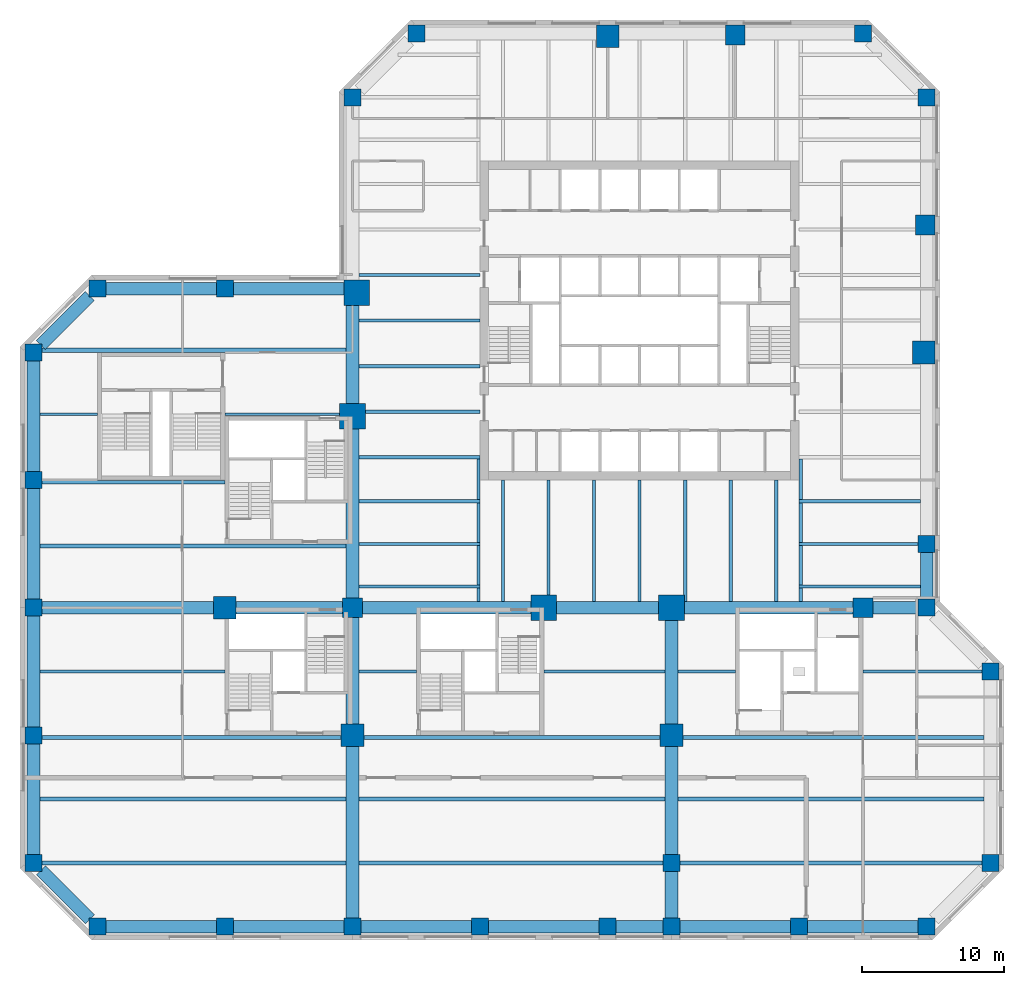
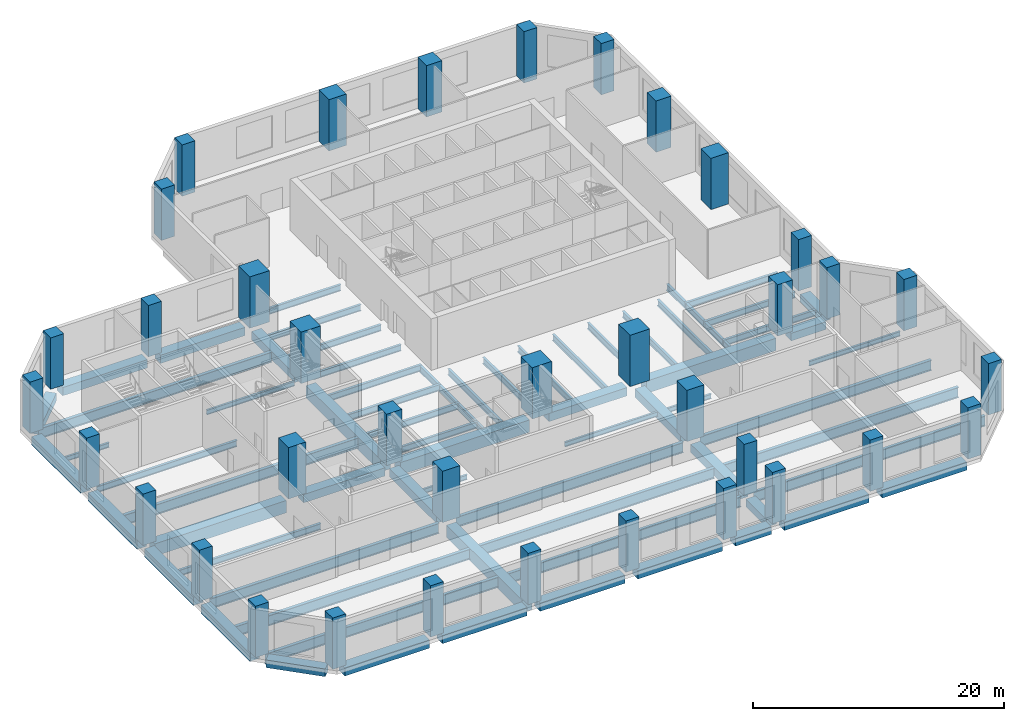
# One storey, part 1 of 12: 68 beams, 37 columns.
"""IFC4 building model written with IfcOpenShell, lengths in metres."""

from ifc_helpers import new_model, si_unit, direction, frame, origin, origin_2d, place, context, subcontext, project, spatial, rectangle, i_section, extrude, material, material_profile, profile_set, type_object, element, save


model = new_model("IFC4")

# Units and contexts
model_context = context("Model", 3, precision=1e-05, world=origin(), true_north=direction((0.0, 1.0)))
body_context = subcontext(model_context, "Body", "Model", "MODEL_VIEW")
ifc_project = project(units=[si_unit("LENGTHUNIT", "METRE"), si_unit("AREAUNIT", "SQUARE_METRE"), si_unit("VOLUMEUNIT", "CUBIC_METRE"), si_unit("PLANEANGLEUNIT", "RADIAN"), si_unit("MASSUNIT", "GRAM", prefix="KILO")], contexts=[model_context])

# Site, building, storey
site_placement = place(None, origin())
site = spatial("IfcSite", under=ifc_project, at=site_placement, CompositionType="ELEMENT")
building_placement = place(site_placement, origin())
building = spatial("IfcBuilding", under=site, at=building_placement, Name="Quoin Convention Tower", CompositionType="ELEMENT")
storey_placement = place(building_placement, frame((0.0, 0.0, 13.5)))
storey = spatial("IfcBuildingStorey", under=building, at=storey_placement, Name="L02", CompositionType="ELEMENT", Elevation=13.5)

# Columns
ifc_material_1 = material(Name="Concrete C100 (100 MPa)", Category="concrete")
ifc_material_profile_1 = material_profile(ifc_material_1, rectangle(XDim=1.199951171875, YDim=1.199951171875, at=origin_2d()), Name="RC 1200x1200")
ifc_profile_set_1 = profile_set([ifc_material_profile_1], Name="Concrete C100 (100 MPa)")
column_type_1 = type_object("IfcColumnType", Name="RC 1200x1200 C100", PredefinedType="COLUMN", material=ifc_profile_set_1)
for number, where, z_axis, x_axis, name in (
    (1, (18.0, 18.0, 0.0), (0.0, 0.0, 1.0), (1.0, 0.0, 0.0), "col-L02-18000_18000"),
    (2, (27.0, 18.0, 0.0), (0.0, 0.0, 1.0), (1.0, 0.0, 0.0), "col-L02-27000_18000"),
    (3, (36.0, 18.0, 0.0), (0.0, 0.0, 1.0), (1.0, 0.0, 0.0), "col-L02-36000_18000"),
    (4, (45.0, 18.0, 0.0), (0.0, 0.0, 1.0), (1.0, 0.0, 0.0), "col-L02-45000_18000"),
    (5, (54.0, 18.0, 0.0), (0.0, 0.0, 1.0), (1.0, 0.0, 0.0), "col-L02-54000_18000"),
    (6, (58.5, 18.0, 0.0), (0.0, 0.0, 1.0), (1.0, 0.0, 0.0), "col-L02-58500_18000"),
    (7, (67.5, 18.0, 0.0), (0.0, 0.0, 1.0), (1.0, 0.0, 0.0), "col-L02-67500_18000"),
    (8, (76.5, 18.0, 0.0), (0.0, 0.0, 1.0), (1.0, 0.0, 0.0), "col-L02-76500_18000"),
    (9, (13.5, 22.5, 0.0), (0.0, 0.0, 1.0), (1.0, 0.0, 0.0), "col-L02-13500_22500"),
    (10, (58.5, 22.5, 0.0), (0.0, 0.0, 1.0), (1.0, 0.0, 0.0), "web-L02-58500_22500"),
    (11, (81.0, 22.5, 0.0), (0.0, 0.0, 1.0), (1.0, 0.0, 0.0), "col-L02-81000_22500"),
    (12, (13.5, 31.5, 0.0), (0.0, 0.0, 1.0), (1.0, 0.0, 0.0), "col-L02-13500_31500"),
    (13, (81.0, 36.0, 0.0), (0.0, 0.0, 1.0), (1.0, 0.0, 0.0), "col-L02-81000_36000"),
    (14, (13.5, 40.5, 0.0), (0.0, 0.0, 1.0), (1.0, 0.0, 0.0), "col-L02-13500_40500"),
    (15, (76.5, 40.5, 0.0), (0.0, 0.0, 1.0), (1.0, 0.0, 0.0), "col-L02-76500_40500"),
    (16, (76.5, 45.0, 0.0), (0.0, 0.0, 1.0), (1.0, 0.0, 0.0), "col-L02-76500_45000"),
    (17, (13.5, 49.5, 0.0), (0.0, 0.0, 1.0), (1.0, 0.0, 0.0), "col-L02-13500_49500"),
    (18, (13.5, 58.5, 0.0), (0.0, 0.0, 1.0), (1.0, 0.0, 0.0), "col-L02-13500_58500"),
    (19, (18.0, 63.0, 0.0), (0.0, 0.0, 1.0), (1.0, 0.0, 0.0), "col-L02-18000_63000"),
    (20, (27.0, 63.0, 0.0), (0.0, 0.0, 1.0), (1.0, 0.0, 0.0), "col-L02-27000_63000"),
    (21, (36.0, 76.5, 0.0), (0.0, 0.0, 1.0), (1.0, 0.0, 0.0), "col-L02-36000_76500"),
    (22, (76.5, 76.5, 0.0), (0.0, 0.0, 1.0), (1.0, 0.0, 0.0), "col-L02-76500_76500"),
    (23, (40.5, 81.0, 0.0), (0.0, 0.0, 1.0), (1.0, 0.0, 0.0), "col-L02-40500_81000"),
    (24, (72.0, 81.0, 0.0), (0.0, 0.0, 1.0), (1.0, 0.0, 0.0), "col-L02-72000_81000"),
):
    element("IfcColumn", number, at=place(storey_placement, frame(where, z_axis=z_axis, x_axis=x_axis)), inside=storey, type_object=column_type_1, Name=name, PredefinedType="COLUMN", context=body_context, shape_type="SweptSolid", body=[
        extrude(rectangle(XDim=1.199951171875, YDim=1.199951171875, at=origin_2d()), origin(), (0.0, 0.0, 1.0), 5.0),
    ])
ifc_material_profile_2 = material_profile(ifc_material_1, rectangle(XDim=1.39990234375, YDim=1.39990234375, at=origin_2d()), Name="RC 1400x1400")
ifc_profile_set_2 = profile_set([ifc_material_profile_2], Name="Concrete C100 (100 MPa)")
column_type_2 = type_object("IfcColumnType", Name="RC 1400x1400 C100", PredefinedType="COLUMN", material=ifc_profile_set_2)
for number, where, z_axis, x_axis, name in (
    (25, (36.0, 40.5, 0.0), (0.0, 0.0, 1.0), (1.0, 0.0, 0.0), "web-L02-36000_40500"),
    (26, (72.0, 40.5, 0.0), (0.0, 0.0, 1.0), (1.0, 0.0, 0.0), "web-L02-72000_40500"),
    (27, (76.39990234375, 67.5, 0.0), (0.0, 0.0, 1.0), (1.0, 0.0, 0.0), "col-L02-76500_67500"),
    (28, (63.0, 80.89990234375, 0.0), (0.0, 0.0, 1.0), (1.0, 0.0, 0.0), "col-L02-63000_81000"),
):
    element("IfcColumn", number, at=place(storey_placement, frame(where, z_axis=z_axis, x_axis=x_axis)), inside=storey, type_object=column_type_2, Name=name, PredefinedType="COLUMN", context=body_context, shape_type="SweptSolid", body=[
        extrude(rectangle(XDim=1.39990234375, YDim=1.39990234375, at=origin_2d()), origin(), (0.0, 0.0, 1.0), 5.0),
    ])
ifc_material_profile_3 = material_profile(ifc_material_1, rectangle(XDim=1.60009765625, YDim=1.60009765625, at=origin_2d()), Name="RC 1600x1600")
ifc_profile_set_3 = profile_set([ifc_material_profile_3], Name="Concrete C100 (100 MPa)")
column_type_3 = type_object("IfcColumnType", Name="RC 1600x1600 C100", PredefinedType="COLUMN", material=ifc_profile_set_3)
for number, where, z_axis, x_axis, name in (
    (29, (36.0, 31.5, 0.0), (0.0, 0.0, 1.0), (1.0, 0.0, 0.0), "web-L02-36000_31500"),
    (30, (58.5, 31.5, 0.0), (0.0, 0.0, 1.0), (1.0, 0.0, 0.0), "web-L02-58500_31500"),
    (31, (27.0, 40.5, 0.0), (0.0, 0.0, 1.0), (1.0, 0.0, 0.0), "web-L02-27000_40500"),
    (32, (76.300048828125, 58.5, 0.0), (0.0, 0.0, 1.0), (1.0, 0.0, 0.0), "col-L02-76500_58500"),
    (33, (54.0, 80.800048828125, 0.0), (0.0, 0.0, 1.0), (1.0, 0.0, 0.0), "col-L02-54000_81000"),
):
    element("IfcColumn", number, at=place(storey_placement, frame(where, z_axis=z_axis, x_axis=x_axis)), inside=storey, type_object=column_type_3, Name=name, PredefinedType="COLUMN", context=body_context, shape_type="SweptSolid", body=[
        extrude(rectangle(XDim=1.60009765625, YDim=1.60009765625, at=origin_2d()), origin(), (0.0, 0.0, 1.0), 5.0),
    ])
ifc_material_profile_4 = material_profile(ifc_material_1, rectangle(XDim=1.800048828125, YDim=1.800048828125, at=origin_2d()), Name="RC 1800x1800")
ifc_profile_set_4 = profile_set([ifc_material_profile_4], Name="Concrete C100 (100 MPa)")
column_type_4 = type_object("IfcColumnType", Name="RC 1800x1800 C100", PredefinedType="COLUMN", material=ifc_profile_set_4)
for number, where, z_axis, x_axis, name in (
    (34, (49.5, 40.5, 0.0), (0.0, 0.0, 1.0), (1.0, 0.0, 0.0), "web-L02-49500_40500"),
    (35, (58.5, 40.5, 0.0), (0.0, 0.0, 1.0), (1.0, 0.0, 0.0), "web-L02-58500_40500"),
    (36, (36.0, 54.0, 0.0), (0.0, 0.0, 1.0), (1.0, 0.0, 0.0), "web-L02-36000_54000"),
    (37, (36.300048828125, 62.699951171875, 0.0), (0.0, 0.0, 1.0), (1.0, 0.0, 0.0), "col-L02-36000_63000"),
):
    element("IfcColumn", number, at=place(storey_placement, frame(where, z_axis=z_axis, x_axis=x_axis)), inside=storey, type_object=column_type_4, Name=name, PredefinedType="COLUMN", context=body_context, shape_type="SweptSolid", body=[
        extrude(rectangle(XDim=1.800048828125, YDim=1.800048828125, at=origin_2d()), origin(), (0.0, 0.0, 1.0), 5.0),
    ])

# Beams
ifc_material_2 = material(Name="Steel Grade 300", Category="steel")
ifc_material_profile_5 = material_profile(ifc_material_2, i_section(OverallWidth=0.300048828125, OverallDepth=1.0, WebThickness=0.01611328125, FlangeThickness=0.02001953125, at=origin_2d()), Name="1000WB215")
ifc_profile_set_5 = profile_set([ifc_material_profile_5], Name="Steel Grade 300")
beam_type_1 = type_object("IfcBeamType", Name="1000WB215", PredefinedType="BEAM", material=ifc_profile_set_5)
beam_1_placement = place(storey_placement, frame((14.10009765625, 22.5, -0.85009765625), z_axis=(1.0, 0.0, 0.0), x_axis=(0.0, 1.0, 0.0)))
element("IfcBeam", 38, at=beam_1_placement, inside=storey, type_object=beam_type_1, Name="gir-L02-ST4-1-0", PredefinedType="BEAM", context=body_context, shape_type="SweptSolid", body=[
    extrude(i_section(OverallWidth=0.300048828125, OverallDepth=1.0, WebThickness=0.01611328125, FlangeThickness=0.02001953125, at=origin_2d()), origin(), (0.0, 0.0, 1.0), 21.449951171875),
])
beam_2_placement = place(storey_placement, frame((13.949951171875, 27.0, -0.85009765625), z_axis=(1.0, 0.0, 0.0), x_axis=(0.0, 1.0, 0.0)))
element("IfcBeam", 39, at=beam_2_placement, inside=storey, type_object=beam_type_1, Name="gir-L02-ST4-2-0", PredefinedType="BEAM", context=body_context, shape_type="SweptSolid", body=[
    extrude(i_section(OverallWidth=0.300048828125, OverallDepth=1.0, WebThickness=0.01611328125, FlangeThickness=0.02001953125, at=origin_2d()), origin(), (0.0, 0.0, 1.0), 21.60009765625),
])
beam_3_placement = place(storey_placement, frame((14.10009765625, 31.35009765625, -0.85009765625), z_axis=(1.0, 0.0, 0.0), x_axis=(0.0, 1.0, 0.0)))
element("IfcBeam", 40, at=beam_3_placement, inside=storey, type_object=beam_type_1, Name="gir-L02-ST4-3-0", PredefinedType="BEAM", context=body_context, shape_type="SweptSolid", body=[
    extrude(i_section(OverallWidth=0.300048828125, OverallDepth=1.0, WebThickness=0.01611328125, FlangeThickness=0.02001953125, at=origin_2d()), origin(), (0.0, 0.0, 1.0), 21.099853515625),
])
beam_4_placement = place(storey_placement, frame((36.449951171875, 22.5, -0.85009765625), z_axis=(1.0, 0.0, 0.0), x_axis=(0.0, 1.0, 0.0)))
element("IfcBeam", 41, at=beam_4_placement, inside=storey, type_object=beam_type_1, Name="gir-L02-ST3-1-0", PredefinedType="BEAM", context=body_context, shape_type="SweptSolid", body=[
    extrude(i_section(OverallWidth=0.300048828125, OverallDepth=1.0, WebThickness=0.01611328125, FlangeThickness=0.02001953125, at=origin_2d()), origin(), (0.0, 0.0, 1.0), 21.449951171875),
])
beam_5_placement = place(storey_placement, frame((36.449951171875, 27.0, -0.85009765625), z_axis=(1.0, 0.0, 0.0), x_axis=(0.0, 1.0, 0.0)))
element("IfcBeam", 42, at=beam_5_placement, inside=storey, type_object=beam_type_1, Name="gir-L02-ST3-2-0", PredefinedType="BEAM", context=body_context, shape_type="SweptSolid", body=[
    extrude(i_section(OverallWidth=0.300048828125, OverallDepth=1.0, WebThickness=0.01611328125, FlangeThickness=0.02001953125, at=origin_2d()), origin(), (0.0, 0.0, 1.0), 21.60009765625),
])
beam_6_placement = place(storey_placement, frame((36.800048828125, 31.35009765625, -0.85009765625), z_axis=(1.0, 0.0, 0.0), x_axis=(0.0, 1.0, 0.0)))
element("IfcBeam", 43, at=beam_6_placement, inside=storey, type_object=beam_type_1, Name="gir-L02-ST3-3-0", PredefinedType="BEAM", context=body_context, shape_type="SweptSolid", body=[
    extrude(i_section(OverallWidth=0.300048828125, OverallDepth=1.0, WebThickness=0.01611328125, FlangeThickness=0.02001953125, at=origin_2d()), origin(), (0.0, 0.0, 1.0), 20.89990234375),
])
beam_7_placement = place(storey_placement, frame((59.10009765625, 22.5, -0.85009765625), z_axis=(1.0, 0.0, 0.0), x_axis=(0.0, 1.0, 0.0)))
element("IfcBeam", 44, at=beam_7_placement, inside=storey, type_object=beam_type_1, Name="gir-L02-ST5-1-0", PredefinedType="BEAM", context=body_context, shape_type="SweptSolid", body=[
    extrude(i_section(OverallWidth=0.300048828125, OverallDepth=1.0, WebThickness=0.01611328125, FlangeThickness=0.02001953125, at=origin_2d()), origin(), (0.0, 0.0, 1.0), 21.2998046875),
])
beam_8_placement = place(storey_placement, frame((58.949951171875, 27.0, -0.85009765625), z_axis=(1.0, 0.0, 0.0), x_axis=(0.0, 1.0, 0.0)))
element("IfcBeam", 45, at=beam_8_placement, inside=storey, type_object=beam_type_1, Name="gir-L02-ST5-2-0", PredefinedType="BEAM", context=body_context, shape_type="SweptSolid", body=[
    extrude(i_section(OverallWidth=0.300048828125, OverallDepth=1.0, WebThickness=0.01611328125, FlangeThickness=0.02001953125, at=origin_2d()), origin(), (0.0, 0.0, 1.0), 21.60009765625),
])
beam_9_placement = place(storey_placement, frame((59.300048828125, 31.35009765625, -0.85009765625), z_axis=(1.0, 0.0, 0.0), x_axis=(0.0, 1.0, 0.0)))
element("IfcBeam", 46, at=beam_9_placement, inside=storey, type_object=beam_type_1, Name="gir-L02-ST5-3-0", PredefinedType="BEAM", context=body_context, shape_type="SweptSolid", body=[
    extrude(i_section(OverallWidth=0.300048828125, OverallDepth=1.0, WebThickness=0.01611328125, FlangeThickness=0.02001953125, at=origin_2d()), origin(), (0.0, 0.0, 1.0), 21.25),
])
beam_10_placement = place(storey_placement, frame((13.949951171875, 44.85009765625, -0.85009765625), z_axis=(1.0, 0.0, 0.0), x_axis=(0.0, 1.0, 0.0)))
element("IfcBeam", 47, at=beam_10_placement, inside=storey, type_object=beam_type_1, Name="gir-L02-ST2-1-0", PredefinedType="BEAM", context=body_context, shape_type="SweptSolid", body=[
    extrude(i_section(OverallWidth=0.300048828125, OverallDepth=1.0, WebThickness=0.01611328125, FlangeThickness=0.02001953125, at=origin_2d()), origin(), (0.0, 0.0, 1.0), 21.60009765625),
])
beam_11_placement = place(storey_placement, frame((14.10009765625, 58.64990234375, -0.85009765625), z_axis=(1.0, 0.0, 0.0), x_axis=(0.0, 1.0, 0.0)))
element("IfcBeam", 48, at=beam_11_placement, inside=storey, type_object=beam_type_1, Name="gir-L02-ST2-4-0", PredefinedType="BEAM", context=body_context, shape_type="SweptSolid", body=[
    extrude(i_section(OverallWidth=0.300048828125, OverallDepth=1.0, WebThickness=0.01611328125, FlangeThickness=0.02001953125, at=origin_2d()), origin(), (0.0, 0.0, 1.0), 21.449951171875),
])
ifc_material_profile_6 = material_profile(ifc_material_2, i_section(OverallWidth=0.18994140625, OverallDepth=0.4541015625, WebThickness=0.008544921875, FlangeThickness=0.0126953125, FilletRadius=0.011474609375, at=origin_2d()), Name="460UB67.1")
ifc_profile_set_6 = profile_set([ifc_material_profile_6], Name="Steel Grade 300")
beam_type_2 = type_object("IfcBeamType", Name="460UB67.1", PredefinedType="BEAM", material=ifc_profile_set_6)
beam_12_placement = place(storey_placement, frame((36.449951171875, 36.0, -0.576904296875), z_axis=(1.0, 0.0, 0.0), x_axis=(0.0, 1.0, 0.0)))
element("IfcBeam", 49, at=beam_12_placement, inside=storey, type_object=beam_type_2, Name="gir-L02-ST3-4-0", PredefinedType="BEAM", context=body_context, shape_type="SweptSolid", body=[
    extrude(i_section(OverallWidth=0.18994140625, OverallDepth=0.4541015625, WebThickness=0.008544921875, FlangeThickness=0.0126953125, FilletRadius=0.011474609375, at=origin_2d()), origin(), (0.0, 0.0, 1.0), 4.050048828125),
])
beam_13_placement = place(storey_placement, frame((49.5, 36.0, -0.576904296875), z_axis=(1.0, 0.0, 0.0), x_axis=(0.0, 1.0, 0.0)))
element("IfcBeam", 50, at=beam_13_placement, inside=storey, type_object=beam_type_2, Name="gir-L02-ST3-4-1", PredefinedType="BEAM", context=body_context, shape_type="SweptSolid", body=[
    extrude(i_section(OverallWidth=0.18994140625, OverallDepth=0.4541015625, WebThickness=0.008544921875, FlangeThickness=0.0126953125, FilletRadius=0.011474609375, at=origin_2d()), origin(), (0.0, 0.0, 1.0), 8.550048828125),
])
beam_14_placement = place(storey_placement, frame((58.949951171875, 36.0, -0.576904296875), z_axis=(1.0, 0.0, 0.0), x_axis=(0.0, 1.0, 0.0)))
element("IfcBeam", 51, at=beam_14_placement, inside=storey, type_object=beam_type_2, Name="gir-L02-ST5-4-0", PredefinedType="BEAM", context=body_context, shape_type="SweptSolid", body=[
    extrude(i_section(OverallWidth=0.18994140625, OverallDepth=0.4541015625, WebThickness=0.008544921875, FlangeThickness=0.0126953125, FilletRadius=0.011474609375, at=origin_2d()), origin(), (0.0, 0.0, 1.0), 4.050048828125),
])
beam_15_placement = place(storey_placement, frame((72.0, 36.0, -0.576904296875), z_axis=(1.0, 0.0, 0.0), x_axis=(0.0, 1.0, 0.0)))
element("IfcBeam", 52, at=beam_15_placement, inside=storey, type_object=beam_type_2, Name="gir-L02-ST5-4-1", PredefinedType="BEAM", context=body_context, shape_type="SweptSolid", body=[
    extrude(i_section(OverallWidth=0.18994140625, OverallDepth=0.4541015625, WebThickness=0.008544921875, FlangeThickness=0.0126953125, FilletRadius=0.011474609375, at=origin_2d()), origin(), (0.0, 0.0, 1.0), 8.39990234375),
])
beam_16_placement = place(storey_placement, frame((13.949951171875, 54.14990234375, -0.576904296875), z_axis=(1.0, 0.0, 0.0), x_axis=(0.0, 1.0, 0.0)))
element("IfcBeam", 53, at=beam_16_placement, inside=storey, type_object=beam_type_2, Name="gir-L02-ST2-3-0", PredefinedType="BEAM", context=body_context, shape_type="SweptSolid", body=[
    extrude(i_section(OverallWidth=0.18994140625, OverallDepth=0.4541015625, WebThickness=0.008544921875, FlangeThickness=0.0126953125, FilletRadius=0.011474609375, at=origin_2d()), origin(), (0.0, 0.0, 1.0), 4.050048828125),
])
beam_17_placement = place(storey_placement, frame((27.0, 54.14990234375, -0.576904296875), z_axis=(1.0, 0.0, 0.0), x_axis=(0.0, 1.0, 0.0)))
element("IfcBeam", 54, at=beam_17_placement, inside=storey, type_object=beam_type_2, Name="gir-L02-ST2-3-1", PredefinedType="BEAM", context=body_context, shape_type="SweptSolid", body=[
    extrude(i_section(OverallWidth=0.18994140625, OverallDepth=0.4541015625, WebThickness=0.008544921875, FlangeThickness=0.0126953125, FilletRadius=0.011474609375, at=origin_2d()), origin(), (0.0, 0.0, 1.0), 8.10009765625),
])
ifc_material_profile_7 = material_profile(ifc_material_2, i_section(OverallWidth=0.22802734375, OverallDepth=0.60205078125, WebThickness=0.010498046875, FlangeThickness=0.014892578125, FilletRadius=0.013916015625, at=origin_2d()), Name="610UB101")
ifc_profile_set_7 = profile_set([ifc_material_profile_7], Name="Steel Grade 300")
beam_type_3 = type_object("IfcBeamType", Name="610UB101", PredefinedType="BEAM", material=ifc_profile_set_7)
beam_18_placement = place(storey_placement, frame((36.449951171875, 51.107177734375, -0.65087890625), z_axis=(1.0, 0.0, 0.0), x_axis=(0.0, 1.0, 0.0)))
element("IfcBeam", 55, at=beam_18_placement, inside=storey, type_object=beam_type_3, Name="bm-L02-T1W0", PredefinedType="BEAM", context=body_context, shape_type="SweptSolid", body=[
    extrude(i_section(OverallWidth=0.22802734375, OverallDepth=0.60205078125, WebThickness=0.010498046875, FlangeThickness=0.014892578125, FilletRadius=0.013916015625, at=origin_2d()), origin(), (0.0, 0.0, 1.0), 8.550048828125),
])
beam_19_placement = place(storey_placement, frame((36.89990234375, 54.3212890625, -0.65087890625), z_axis=(1.0, 0.0, 0.0), x_axis=(0.0, 1.0, 0.0)))
element("IfcBeam", 56, at=beam_19_placement, inside=storey, type_object=beam_type_3, Name="bm-L02-T1W1", PredefinedType="BEAM", context=body_context, shape_type="SweptSolid", body=[
    extrude(i_section(OverallWidth=0.22802734375, OverallDepth=0.60205078125, WebThickness=0.010498046875, FlangeThickness=0.014892578125, FilletRadius=0.013916015625, at=origin_2d()), origin(), (0.0, 0.0, 1.0), 8.10009765625),
])
for number, where, z_axis, x_axis, name in (
    (57, (36.449951171875, 57.53564453125, -0.65087890625), (1.0, 0.0, 0.0), (0.0, 1.0, 0.0), "bm-L02-T1W2"),
    (58, (36.449951171875, 60.75, -0.65087890625), (1.0, 0.0, 0.0), (0.0, 1.0, 0.0), "bm-L02-T1W3"),
    (59, (36.449951171875, 63.96435546875, -0.65087890625), (1.0, 0.0, 0.0), (0.0, 1.0, 0.0), "bm-L02-T1W4"),
    (60, (46.607177734375, 40.949951171875, -0.65087890625), (0.0, 1.0, 0.0), (-1.0, 0.0, 0.0), "bm-L02-T1S0"),
):
    element("IfcBeam", number, at=place(storey_placement, frame(where, z_axis=z_axis, x_axis=x_axis)), inside=storey, type_object=beam_type_3, Name=name, PredefinedType="BEAM", context=body_context, shape_type="SweptSolid", body=[
        extrude(i_section(OverallWidth=0.22802734375, OverallDepth=0.60205078125, WebThickness=0.010498046875, FlangeThickness=0.014892578125, FilletRadius=0.013916015625, at=origin_2d()), origin(), (0.0, 0.0, 1.0), 8.550048828125),
    ])
beam_20_placement = place(storey_placement, frame((49.8212890625, 41.39990234375, -0.65087890625), z_axis=(0.0, 1.0, 0.0), x_axis=(-1.0, 0.0, 0.0)))
element("IfcBeam", 61, at=beam_20_placement, inside=storey, type_object=beam_type_3, Name="bm-L02-T1S1", PredefinedType="BEAM", context=body_context, shape_type="SweptSolid", body=[
    extrude(i_section(OverallWidth=0.22802734375, OverallDepth=0.60205078125, WebThickness=0.010498046875, FlangeThickness=0.014892578125, FilletRadius=0.013916015625, at=origin_2d()), origin(), (0.0, 0.0, 1.0), 8.10009765625),
])
for number, where, z_axis, x_axis, name in (
    (62, (53.03564453125, 40.949951171875, -0.65087890625), (0.0, 1.0, 0.0), (-1.0, 0.0, 0.0), "bm-L02-T1S2"),
    (63, (56.25, 40.949951171875, -0.65087890625), (0.0, 1.0, 0.0), (-1.0, 0.0, 0.0), "bm-L02-T1S3"),
    (64, (59.46435546875, 40.949951171875, -0.65087890625), (0.0, 1.0, 0.0), (-1.0, 0.0, 0.0), "bm-L02-T1S4"),
    (65, (62.6787109375, 40.949951171875, -0.65087890625), (0.0, 1.0, 0.0), (-1.0, 0.0, 0.0), "bm-L02-T1S5"),
    (66, (65.892822265625, 40.949951171875, -0.65087890625), (0.0, 1.0, 0.0), (-1.0, 0.0, 0.0), "bm-L02-T1S6"),
    (67, (36.449951171875, 42.0, -0.65087890625), (1.0, 0.0, 0.0), (0.0, 1.0, 0.0), "bm-L02-T1SW0"),
    (68, (36.449951171875, 45.0, -0.65087890625), (1.0, 0.0, 0.0), (0.0, 1.0, 0.0), "bm-L02-T1SW1"),
    (69, (36.449951171875, 48.0, -0.65087890625), (1.0, 0.0, 0.0), (0.0, 1.0, 0.0), "bm-L02-T1SW2"),
    (70, (67.5, 42.0, -0.65087890625), (1.0, 0.0, 0.0), (0.0, 1.0, 0.0), "bm-L02-T1SE0"),
):
    element("IfcBeam", number, at=place(storey_placement, frame(where, z_axis=z_axis, x_axis=x_axis)), inside=storey, type_object=beam_type_3, Name=name, PredefinedType="BEAM", context=body_context, shape_type="SweptSolid", body=[
        extrude(i_section(OverallWidth=0.22802734375, OverallDepth=0.60205078125, WebThickness=0.010498046875, FlangeThickness=0.014892578125, FilletRadius=0.013916015625, at=origin_2d()), origin(), (0.0, 0.0, 1.0), 8.550048828125),
    ])
beam_21_placement = place(storey_placement, frame((67.5, 45.0, -0.65087890625), z_axis=(1.0, 0.0, 0.0), x_axis=(0.0, 1.0, 0.0)))
element("IfcBeam", 71, at=beam_21_placement, inside=storey, type_object=beam_type_3, Name="bm-L02-T1SE1", PredefinedType="BEAM", context=body_context, shape_type="SweptSolid", body=[
    extrude(i_section(OverallWidth=0.22802734375, OverallDepth=0.60205078125, WebThickness=0.010498046875, FlangeThickness=0.014892578125, FilletRadius=0.013916015625, at=origin_2d()), origin(), (0.0, 0.0, 1.0), 8.39990234375),
])
beam_22_placement = place(storey_placement, frame((67.5, 48.0, -0.65087890625), z_axis=(1.0, 0.0, 0.0), x_axis=(0.0, 1.0, 0.0)))
element("IfcBeam", 72, at=beam_22_placement, inside=storey, type_object=beam_type_3, Name="bm-L02-T1SE2", PredefinedType="BEAM", context=body_context, shape_type="SweptSolid", body=[
    extrude(i_section(OverallWidth=0.22802734375, OverallDepth=0.60205078125, WebThickness=0.010498046875, FlangeThickness=0.014892578125, FilletRadius=0.013916015625, at=origin_2d()), origin(), (0.0, 0.0, 1.0), 8.550048828125),
])
beam_23_placement = place(storey_placement, frame((13.949951171875, 36.0, -0.65087890625), z_axis=(1.0, 0.0, 0.0), x_axis=(0.0, 1.0, 0.0)))
element("IfcBeam", 73, at=beam_23_placement, inside=storey, type_object=beam_type_3, Name="gir-L02-ST4-4-0", PredefinedType="BEAM", context=body_context, shape_type="SweptSolid", body=[
    extrude(i_section(OverallWidth=0.22802734375, OverallDepth=0.60205078125, WebThickness=0.010498046875, FlangeThickness=0.014892578125, FilletRadius=0.013916015625, at=origin_2d()), origin(), (0.0, 0.0, 1.0), 13.050048828125),
])
beam_24_placement = place(storey_placement, frame((14.10009765625, 49.35009765625, -0.65087890625), z_axis=(1.0, 0.0, 0.0), x_axis=(0.0, 1.0, 0.0)))
element("IfcBeam", 74, at=beam_24_placement, inside=storey, type_object=beam_type_3, Name="gir-L02-ST2-2-0", PredefinedType="BEAM", context=body_context, shape_type="SweptSolid", body=[
    extrude(i_section(OverallWidth=0.22802734375, OverallDepth=0.60205078125, WebThickness=0.010498046875, FlangeThickness=0.014892578125, FilletRadius=0.013916015625, at=origin_2d()), origin(), (0.0, 0.0, 1.0), 12.89990234375),
])
ifc_material_profile_8 = material_profile(ifc_material_2, i_section(OverallWidth=0.22900390625, OverallDepth=0.612060546875, WebThickness=0.011962890625, FlangeThickness=0.01953125, FilletRadius=0.013916015625, at=origin_2d()), Name="610UB125")
ifc_profile_set_8 = profile_set([ifc_material_profile_8], Name="Steel Grade 300")
beam_type_4 = type_object("IfcBeamType", Name="610UB125", PredefinedType="BEAM", material=ifc_profile_set_8)
for number, where, z_axis, x_axis, name in (
    (75, (44.885498046875, 40.949951171875, -0.656005859375), (0.0, 1.0, 0.0), (-1.0, 0.0, 0.0), "gir-L02-T1SW"),
    (76, (67.614501953125, 40.949951171875, -0.656005859375), (0.0, 1.0, 0.0), (-1.0, 0.0, 0.0), "gir-L02-T1SE"),
):
    element("IfcBeam", number, at=place(storey_placement, frame(where, z_axis=z_axis, x_axis=x_axis)), inside=storey, type_object=beam_type_4, Name=name, PredefinedType="BEAM", context=body_context, shape_type="SweptSolid", body=[
        extrude(i_section(OverallWidth=0.22900390625, OverallDepth=0.612060546875, WebThickness=0.011962890625, FlangeThickness=0.01953125, FilletRadius=0.013916015625, at=origin_2d()), origin(), (0.0, 0.0, 1.0), 10.043212890625),
    ])
ifc_material_profile_9 = material_profile(ifc_material_1, rectangle(XDim=0.89990234375, YDim=1.199951171875, at=origin_2d()), Name="RC 900x1200")
ifc_profile_set_9 = profile_set([ifc_material_profile_9], Name="Concrete C100 (100 MPa)")
beam_type_5 = type_object("IfcBeamType", Name="RC 900x1200 C100", PredefinedType="SPANDREL", material=ifc_profile_set_9)
beam_25_placement = place(storey_placement, frame((14.10009765625, 40.5, -0.949951171875), z_axis=(1.0, 0.0, 0.0), x_axis=(0.0, 1.0, 0.0)))
element("IfcBeam", 77, at=beam_25_placement, inside=storey, type_object=beam_type_5, Name="spd-L02-13500_40500-27000_40500", PredefinedType="SPANDREL", context=body_context, shape_type="SweptSolid", body=[
    extrude(rectangle(XDim=0.89990234375, YDim=1.199951171875, at=origin_2d()), origin(), (0.0, 0.0, 1.0), 12.099853515625),
])
for number, where, z_axis, x_axis, name in (
    (78, (36.699951171875, 40.5, -0.949951171875), (1.0, 0.0, 0.0), (0.0, 1.0, 0.0), "spd-L02-36000_40500-49500_40500"),
    (79, (59.39990234375, 40.5, -0.949951171875), (1.0, 0.0, 0.0), (0.0, 1.0, 0.0), "spd-L02-58500_40500-72000_40500"),
):
    element("IfcBeam", number, at=place(storey_placement, frame(where, z_axis=z_axis, x_axis=x_axis)), inside=storey, type_object=beam_type_5, Name=name, PredefinedType="SPANDREL", context=body_context, shape_type="SweptSolid", body=[
        extrude(rectangle(XDim=0.89990234375, YDim=1.199951171875, at=origin_2d()), origin(), (0.0, 0.0, 1.0), 11.900146484375),
    ])
beam_26_placement = place(storey_placement, frame((36.0, 18.60009765625, -0.949951171875), z_axis=(0.0, 1.0, 0.0), x_axis=(-1.0, 0.0, 0.0)))
element("IfcBeam", 80, at=beam_26_placement, inside=storey, type_object=beam_type_5, Name="spd-L02-36000_18000-36000_31500", PredefinedType="SPANDREL", context=body_context, shape_type="SweptSolid", body=[
    extrude(rectangle(XDim=0.89990234375, YDim=1.199951171875, at=origin_2d()), origin(), (0.0, 0.0, 1.0), 12.099853515625),
])
beam_27_placement = place(storey_placement, frame((36.0, 41.199951171875, -0.949951171875), z_axis=(0.0, 1.0, 0.0), x_axis=(-1.0, 0.0, 0.0)))
element("IfcBeam", 81, at=beam_27_placement, inside=storey, type_object=beam_type_5, Name="spd-L02-36000_40500-36000_54000", PredefinedType="SPANDREL", context=body_context, shape_type="SweptSolid", body=[
    extrude(rectangle(XDim=0.89990234375, YDim=1.199951171875, at=origin_2d()), origin(), (0.0, 0.0, 1.0), 11.900146484375),
])
ifc_material_profile_10 = material_profile(ifc_material_1, rectangle(XDim=0.89990234375, YDim=0.75, at=origin_2d()), Name="RC 900x750")
ifc_profile_set_10 = profile_set([ifc_material_profile_10], Name="Concrete C100 (100 MPa)")
beam_type_6 = type_object("IfcBeamType", Name="RC 900x750 C100", PredefinedType="SPANDREL", material=ifc_profile_set_10)
beam_28_placement = place(storey_placement, frame((14.01513671875, 21.98486328125, -0.72509765625), z_axis=(0.707106781187, -0.707106781187, 0.0), x_axis=(0.707106781187, 0.707106781187, 0.0)))
element("IfcBeam", 82, at=beam_28_placement, inside=storey, type_object=beam_type_6, Name="spd-L02-13500_22500-18000_18000", PredefinedType="SPANDREL", context=body_context, shape_type="SweptSolid", body=[
    extrude(rectangle(XDim=0.89990234375, YDim=0.75, at=origin_2d()), origin(), (0.0, 0.0, 1.0), 4.906982421875),
])
for number, where, z_axis, x_axis, name in (
    (83, (54.60009765625, 18.0, -0.72509765625), (1.0, 0.0, 0.0), (0.0, 1.0, 0.0), "spd-L02-54000_18000-58500_18000"),
    (84, (76.5, 41.10009765625, -0.72509765625), (0.0, 1.0, 0.0), (-1.0, 0.0, 0.0), "spd-L02-76500_40500-76500_45000"),
):
    element("IfcBeam", number, at=place(storey_placement, frame(where, z_axis=z_axis, x_axis=x_axis)), inside=storey, type_object=beam_type_6, Name=name, PredefinedType="SPANDREL", context=body_context, shape_type="SweptSolid", body=[
        extrude(rectangle(XDim=0.89990234375, YDim=0.75, at=origin_2d()), origin(), (0.0, 0.0, 1.0), 3.2998046875),
    ])
beam_29_placement = place(storey_placement, frame((17.48486328125, 62.48486328125, -0.72509765625), z_axis=(-0.707106781187, -0.707106781187, 0.0), x_axis=(0.707106781187, -0.707106781187, 0.0)))
element("IfcBeam", 85, at=beam_29_placement, inside=storey, type_object=beam_type_6, Name="spd-L02-18000_63000-13500_58500", PredefinedType="SPANDREL", context=body_context, shape_type="SweptSolid", body=[
    extrude(rectangle(XDim=0.89990234375, YDim=0.75, at=origin_2d()), origin(), (0.0, 0.0, 1.0), 4.906982421875),
])
beam_30_placement = place(storey_placement, frame((72.699951171875, 40.5, -0.72509765625), z_axis=(1.0, 0.0, 0.0), x_axis=(0.0, 1.0, 0.0)))
element("IfcBeam", 86, at=beam_30_placement, inside=storey, type_object=beam_type_6, Name="spd-L02-72000_40500-76500_40500", PredefinedType="SPANDREL", context=body_context, shape_type="SweptSolid", body=[
    extrude(rectangle(XDim=0.89990234375, YDim=0.75, at=origin_2d()), origin(), (0.0, 0.0, 1.0), 3.199951171875),
])
beam_31_placement = place(storey_placement, frame((58.5, 18.60009765625, -0.72509765625), z_axis=(0.0, 1.0, 0.0), x_axis=(-1.0, 0.0, 0.0)))
element("IfcBeam", 87, at=beam_31_placement, inside=storey, type_object=beam_type_6, Name="spd-L02-58500_18000-58500_22500", PredefinedType="SPANDREL", context=body_context, shape_type="SweptSolid", body=[
    extrude(rectangle(XDim=0.89990234375, YDim=0.75, at=origin_2d()), origin(), (0.0, 0.0, 1.0), 3.2998046875),
])
ifc_material_profile_11 = material_profile(ifc_material_1, rectangle(XDim=0.89990234375, YDim=0.800048828125, at=origin_2d()), Name="RC 900x800")
ifc_profile_set_11 = profile_set([ifc_material_profile_11], Name="Concrete C100 (100 MPa)")
beam_type_7 = type_object("IfcBeamType", Name="RC 900x800 C100", PredefinedType="SPANDREL", material=ifc_profile_set_11)
for number, where, z_axis, x_axis, name in (
    (88, (18.60009765625, 18.0, -0.75), (1.0, 0.0, 0.0), (0.0, 1.0, 0.0), "spd-L02-18000_18000-27000_18000"),
    (89, (27.60009765625, 18.0, -0.75), (1.0, 0.0, 0.0), (0.0, 1.0, 0.0), "spd-L02-27000_18000-36000_18000"),
    (90, (36.60009765625, 18.0, -0.75), (1.0, 0.0, 0.0), (0.0, 1.0, 0.0), "spd-L02-36000_18000-45000_18000"),
    (91, (45.60009765625, 18.0, -0.75), (1.0, 0.0, 0.0), (0.0, 1.0, 0.0), "spd-L02-45000_18000-54000_18000"),
    (92, (59.10009765625, 18.0, -0.75), (1.0, 0.0, 0.0), (0.0, 1.0, 0.0), "spd-L02-58500_18000-67500_18000"),
    (93, (68.10009765625, 18.0, -0.75), (1.0, 0.0, 0.0), (0.0, 1.0, 0.0), "spd-L02-67500_18000-76500_18000"),
    (94, (35.39990234375, 63.0, -0.75), (-1.0, 0.0, 0.0), (0.0, -1.0, 0.0), "spd-L02-36000_63000-27000_63000"),
    (95, (26.39990234375, 63.0, -0.75), (-1.0, 0.0, 0.0), (0.0, -1.0, 0.0), "spd-L02-27000_63000-18000_63000"),
    (96, (13.5, 57.89990234375, -0.75), (0.0, -1.0, 0.0), (1.0, 0.0, 0.0), "spd-L02-13500_58500-13500_49500"),
    (97, (13.5, 48.89990234375, -0.75), (0.0, -1.0, 0.0), (1.0, 0.0, 0.0), "spd-L02-13500_49500-13500_40500"),
    (98, (13.5, 39.89990234375, -0.75), (0.0, -1.0, 0.0), (1.0, 0.0, 0.0), "spd-L02-13500_40500-13500_31500"),
    (99, (13.5, 30.89990234375, -0.75), (0.0, -1.0, 0.0), (1.0, 0.0, 0.0), "spd-L02-13500_31500-13500_22500"),
):
    element("IfcBeam", number, at=place(storey_placement, frame(where, z_axis=z_axis, x_axis=x_axis)), inside=storey, type_object=beam_type_7, Name=name, PredefinedType="SPANDREL", context=body_context, shape_type="SweptSolid", body=[
        extrude(rectangle(XDim=0.89990234375, YDim=0.800048828125, at=origin_2d()), origin(), (0.0, 0.0, 1.0), 7.7998046875),
    ])
beam_32_placement = place(storey_placement, frame((27.800048828125, 40.5, -0.75), z_axis=(1.0, 0.0, 0.0), x_axis=(0.0, 1.0, 0.0)))
element("IfcBeam", 100, at=beam_32_placement, inside=storey, type_object=beam_type_7, Name="spd-L02-27000_40500-36000_40500", PredefinedType="SPANDREL", context=body_context, shape_type="SweptSolid", body=[
    extrude(rectangle(XDim=0.89990234375, YDim=0.800048828125, at=origin_2d()), origin(), (0.0, 0.0, 1.0), 7.5),
])
beam_33_placement = place(storey_placement, frame((50.39990234375, 40.5, -0.75), z_axis=(1.0, 0.0, 0.0), x_axis=(0.0, 1.0, 0.0)))
element("IfcBeam", 101, at=beam_33_placement, inside=storey, type_object=beam_type_7, Name="spd-L02-49500_40500-58500_40500", PredefinedType="SPANDREL", context=body_context, shape_type="SweptSolid", body=[
    extrude(rectangle(XDim=0.89990234375, YDim=0.800048828125, at=origin_2d()), origin(), (0.0, 0.0, 1.0), 7.2001953125),
])
beam_34_placement = place(storey_placement, frame((36.0, 32.300048828125, -0.75), z_axis=(0.0, 1.0, 0.0), x_axis=(-1.0, 0.0, 0.0)))
element("IfcBeam", 102, at=beam_34_placement, inside=storey, type_object=beam_type_7, Name="spd-L02-36000_31500-36000_40500", PredefinedType="SPANDREL", context=body_context, shape_type="SweptSolid", body=[
    extrude(rectangle(XDim=0.89990234375, YDim=0.800048828125, at=origin_2d()), origin(), (0.0, 0.0, 1.0), 7.5),
])
beam_35_placement = place(storey_placement, frame((36.0, 54.89990234375, -0.75), z_axis=(0.0, 1.0, 0.0), x_axis=(-1.0, 0.0, 0.0)))
element("IfcBeam", 103, at=beam_35_placement, inside=storey, type_object=beam_type_7, Name="spd-L02-36000_54000-36000_63000", PredefinedType="SPANDREL", context=body_context, shape_type="SweptSolid", body=[
    extrude(rectangle(XDim=0.89990234375, YDim=0.800048828125, at=origin_2d()), origin(), (0.0, 0.0, 1.0), 6.900146484375),
])
beam_36_placement = place(storey_placement, frame((58.5, 23.10009765625, -0.75), z_axis=(0.0, 1.0, 0.0), x_axis=(-1.0, 0.0, 0.0)))
element("IfcBeam", 104, at=beam_36_placement, inside=storey, type_object=beam_type_7, Name="spd-L02-58500_22500-58500_31500", PredefinedType="SPANDREL", context=body_context, shape_type="SweptSolid", body=[
    extrude(rectangle(XDim=0.89990234375, YDim=0.800048828125, at=origin_2d()), origin(), (0.0, 0.0, 1.0), 7.599853515625),
])
beam_37_placement = place(storey_placement, frame((58.5, 32.300048828125, -0.75), z_axis=(0.0, 1.0, 0.0), x_axis=(-1.0, 0.0, 0.0)))
element("IfcBeam", 105, at=beam_37_placement, inside=storey, type_object=beam_type_7, Name="spd-L02-58500_31500-58500_40500", PredefinedType="SPANDREL", context=body_context, shape_type="SweptSolid", body=[
    extrude(rectangle(XDim=0.89990234375, YDim=0.800048828125, at=origin_2d()), origin(), (0.0, 0.0, 1.0), 7.300048828125),
])

save(model, "model.ifc")
